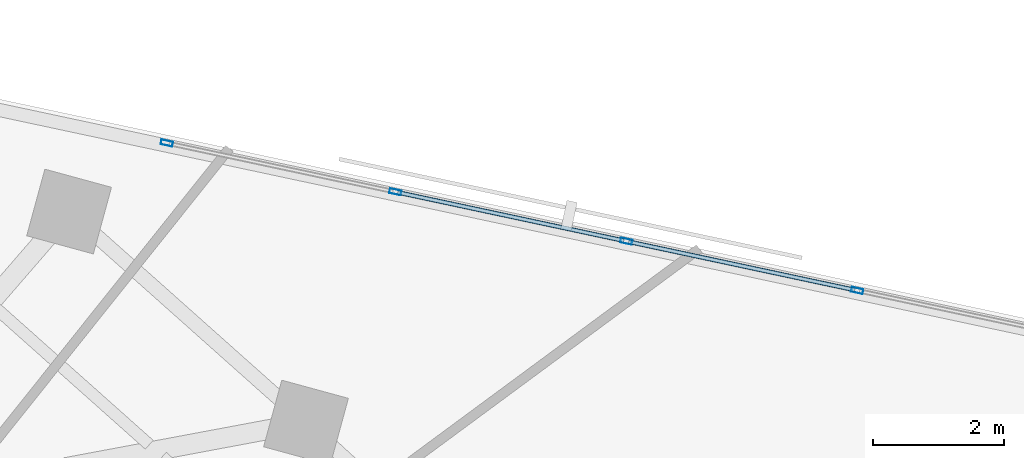
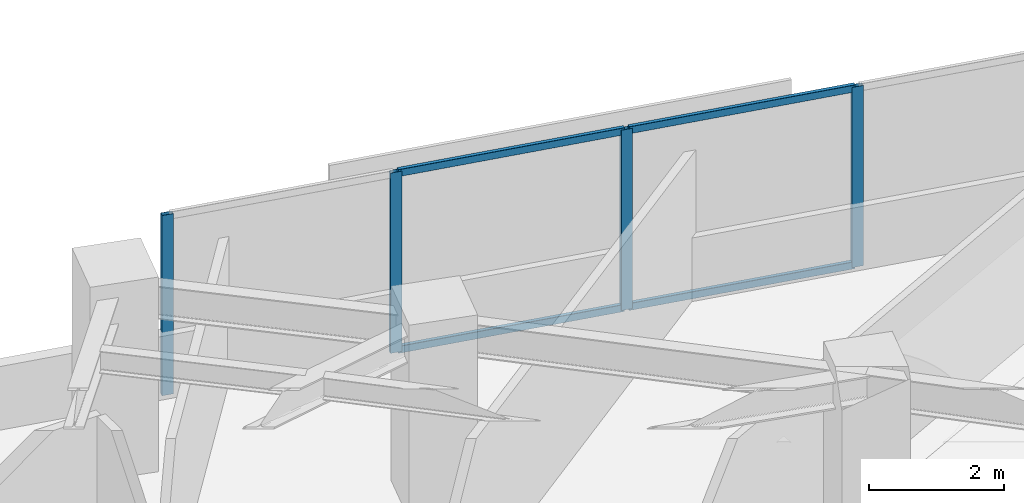
# One storey, part 4 of 14: 8 members, 1 element without a shape of its own.
"""IFC4 building model written with IfcOpenShell, lengths in metres."""

from ifc_helpers import new_model, si_unit, direction, frame, origin, origin_2d, place, context, subcontext, project, spatial, hollow_rectangle, extrude, material, material_profile, profile_set, type_object, element, aggregate, save


model = new_model("IFC4")

# Units and contexts
model_context = context("Model", 3, precision=1e-05, world=origin(), true_north=direction((0.0, 1.0)))
body_context = subcontext(model_context, "Body", "Model", "MODEL_VIEW")
ifc_project = project(units=[si_unit("LENGTHUNIT", "METRE"), si_unit("AREAUNIT", "SQUARE_METRE"), si_unit("VOLUMEUNIT", "CUBIC_METRE"), si_unit("PLANEANGLEUNIT", "RADIAN"), si_unit("MASSUNIT", "GRAM", prefix="KILO")], contexts=[model_context])

# Site, building, storey
site_placement = place(None, origin())
site = spatial("IfcSite", under=ifc_project, at=site_placement, CompositionType="ELEMENT")
building_placement = place(site_placement, origin())
building = spatial("IfcBuilding", under=site, at=building_placement, Name="Narakoshi Arena Tower", CompositionType="ELEMENT")
storey_placement = place(building_placement, frame((0.0, 0.0, 204.419921875)))
storey = spatial("IfcBuildingStorey", under=building, at=storey_placement, Name="L55", CompositionType="ELEMENT", Elevation=204.419921875)

# Curtain wall, members
ifc_material = material(Name="Anodised bronze aluminium 6063-T6", Category="aluminium")
curtain_wall_type = type_object("IfcCurtainWallType", Name="CW-HYP-MID", PredefinedType="NOTDEFINED", material=ifc_material)
curtain_wall_placement = place(storey_placement, origin())
curtain_wall = element("IfcCurtainWall", 1, at=curtain_wall_placement, inside=storey, type_object=curtain_wall_type, Name="L55 Folded Hypotenuse Curtain Wall 1-1", PredefinedType="NOTDEFINED")
ifc_material_profile_1 = material_profile(ifc_material, hollow_rectangle(XDim=0.074951171875, YDim=0.179931640625, WallThickness=0.00390625, OuterFilletRadius=0.0048828125, at=origin_2d()), Name="MUL180x75x4")
ifc_profile_set_1 = profile_set([ifc_material_profile_1], Name="Anodised bronze aluminium 6063-T6")
member_type_1 = type_object("IfcMemberType", Name="MEM-MUL-180", PredefinedType="MULLION", material=ifc_profile_set_1)
member_1_placement = place(storey_placement, frame((101.553955078125, 59.932861328125, 0.0), z_axis=(0.0, 0.0, 1.0), x_axis=(-0.208899163248, -0.977937185914, 0.0)))
member_1 = element("IfcMember", 2, at=member_1_placement, type_object=member_type_1, Name="CW-02 mullion 5", PredefinedType="MULLION", context=body_context, shape_type="SweptSolid", body=[
    extrude(hollow_rectangle(XDim=0.074951171875, YDim=0.179931640625, WallThickness=0.00390625, OuterFilletRadius=0.0048828125, at=origin_2d()), origin(), (0.0, 0.0, 1.0), 3.260009765625),
])
member_2_placement = place(storey_placement, frame((98.0400390625, 60.68359375, 0.0), z_axis=(0.0, 0.0, 1.0), x_axis=(-0.208899163248, -0.977937185914, 0.0)))
member_2 = element("IfcMember", 3, at=member_2_placement, type_object=member_type_1, Name="CW-02 mullion 6", PredefinedType="MULLION", context=body_context, shape_type="SweptSolid", body=[
    extrude(hollow_rectangle(XDim=0.074951171875, YDim=0.179931640625, WallThickness=0.00390625, OuterFilletRadius=0.0048828125, at=origin_2d()), origin(), (0.0, 0.0, 1.0), 3.260009765625),
])
member_3_placement = place(storey_placement, frame((94.52587890625, 61.434326171875, 0.0), z_axis=(0.0, 0.0, 1.0), x_axis=(-0.208899163248, -0.977937185914, 0.0)))
member_3 = element("IfcMember", 4, at=member_3_placement, type_object=member_type_1, Name="CW-02 mullion 7", PredefinedType="MULLION", context=body_context, shape_type="SweptSolid", body=[
    extrude(hollow_rectangle(XDim=0.074951171875, YDim=0.179931640625, WallThickness=0.00390625, OuterFilletRadius=0.0048828125, at=origin_2d()), origin(), (0.0, 0.0, 1.0), 3.260009765625),
])
member_4_placement = place(storey_placement, frame((91.04833984375, 62.177001953125, 0.0), z_axis=(0.0, 0.0, 1.0), x_axis=(-0.208899163248, -0.977937185914, 0.0)))
member_4 = element("IfcMember", 5, at=member_4_placement, type_object=member_type_1, Name="CW-02 mullion 8", PredefinedType="MULLION", context=body_context, shape_type="SweptSolid", body=[
    extrude(hollow_rectangle(XDim=0.074951171875, YDim=0.179931640625, WallThickness=0.00390625, OuterFilletRadius=0.0048828125, at=origin_2d()), origin(), (0.0, 0.0, 1.0), 3.260009765625),
])
ifc_material_profile_2 = material_profile(ifc_material, hollow_rectangle(XDim=0.06494140625, YDim=0.1298828125, WallThickness=0.00390625, OuterFilletRadius=0.0048828125, at=origin_2d()), Name="TRN130x65x4")
ifc_profile_set_2 = profile_set([ifc_material_profile_2], Name="Anodised bronze aluminium 6063-T6")
member_type_2 = type_object("IfcMemberType", Name="MEM-TRN-130", PredefinedType="USERDEFINED", material=ifc_profile_set_2)
member_5_placement = place(storey_placement, frame((101.517333984375, 59.940673828125, 0.032470703125), z_axis=(-0.977929169638, 0.208936686992, 0.0), x_axis=(-0.208936686992, -0.977929169638, 0.0)))
member_5 = element("IfcMember", 6, at=member_5_placement, type_object=member_type_2, Name="CW-02 transom 5.1", ObjectType="TRANSOM", PredefinedType="USERDEFINED", context=body_context, shape_type="SweptSolid", body=[
    extrude(hollow_rectangle(XDim=0.06494140625, YDim=0.1298828125, WallThickness=0.00390625, OuterFilletRadius=0.0048828125, at=origin_2d()), origin(), (0.0, 0.0, 1.0), 3.518310546875),
])
member_6_placement = place(storey_placement, frame((101.517333984375, 59.940673828125, 3.2275390625), z_axis=(-0.977929169638, 0.208936686992, 0.0), x_axis=(-0.208936686992, -0.977929169638, 0.0)))
member_6 = element("IfcMember", 7, at=member_6_placement, type_object=member_type_2, Name="CW-02 transom 5.2", ObjectType="TRANSOM", PredefinedType="USERDEFINED", context=body_context, shape_type="SweptSolid", body=[
    extrude(hollow_rectangle(XDim=0.06494140625, YDim=0.1298828125, WallThickness=0.00390625, OuterFilletRadius=0.0048828125, at=origin_2d()), origin(), (0.0, 0.0, 1.0), 3.518310546875),
])
member_7_placement = place(storey_placement, frame((98.003173828125, 60.69140625, 0.032470703125), z_axis=(-0.977929169638, 0.208936686992, 0.0), x_axis=(-0.208936686992, -0.977929169638, 0.0)))
member_7 = element("IfcMember", 8, at=member_7_placement, type_object=member_type_2, Name="CW-02 transom 6.1", ObjectType="TRANSOM", PredefinedType="USERDEFINED", context=body_context, shape_type="SweptSolid", body=[
    extrude(hollow_rectangle(XDim=0.06494140625, YDim=0.1298828125, WallThickness=0.00390625, OuterFilletRadius=0.0048828125, at=origin_2d()), origin(), (0.0, 0.0, 1.0), 3.518310546875),
])
member_8_placement = place(storey_placement, frame((98.003173828125, 60.69140625, 3.2275390625), z_axis=(-0.977929169638, 0.208936686992, 0.0), x_axis=(-0.208936686992, -0.977929169638, 0.0)))
member_8 = element("IfcMember", 9, at=member_8_placement, type_object=member_type_2, Name="CW-02 transom 6.2", ObjectType="TRANSOM", PredefinedType="USERDEFINED", context=body_context, shape_type="SweptSolid", body=[
    extrude(hollow_rectangle(XDim=0.06494140625, YDim=0.1298828125, WallThickness=0.00390625, OuterFilletRadius=0.0048828125, at=origin_2d()), origin(), (0.0, 0.0, 1.0), 3.518310546875),
])
aggregate(curtain_wall, [member_1, member_2, member_3, member_4, member_5, member_6, member_7, member_8])

save(model, "model.ifc")
